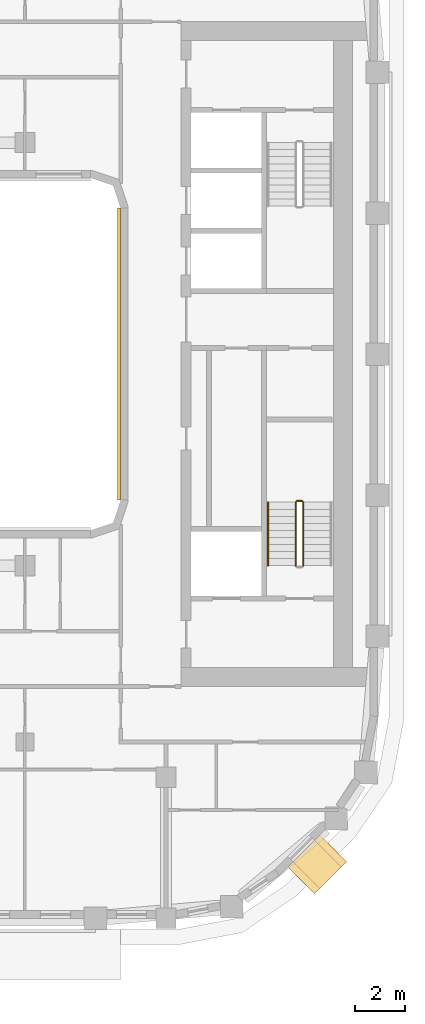
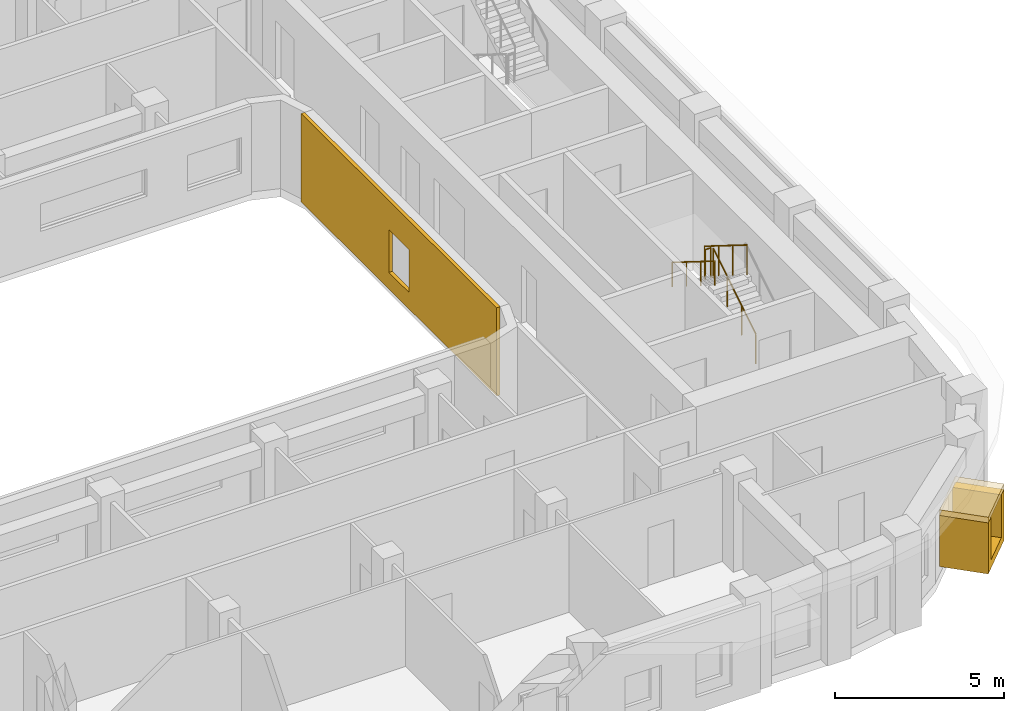
# One storey, part 16 of 21: 4 railings, 3 coverings.
"""IFC4 building model written with IfcOpenShell, lengths in metres."""

from ifc_helpers import new_model, si_unit, direction, frame, origin, origin_2d, place, context, subcontext, project, spatial, polyline, rectangle, circle, outline, extrude, material, layer, layer_set, type_object, element, save


model = new_model("IFC4")

# Units and contexts
model_context = context("Model", 3, precision=1e-05, world=origin(), true_north=direction((0.0, 1.0)))
body_context = subcontext(model_context, "Body", "Model", "MODEL_VIEW")
ifc_project = project(units=[si_unit("LENGTHUNIT", "METRE"), si_unit("AREAUNIT", "SQUARE_METRE"), si_unit("VOLUMEUNIT", "CUBIC_METRE"), si_unit("PLANEANGLEUNIT", "RADIAN"), si_unit("MASSUNIT", "GRAM", prefix="KILO")], contexts=[model_context])

# Site, building, storey
site_placement = place(None, origin())
site = spatial("IfcSite", under=ifc_project, at=site_placement, CompositionType="ELEMENT")
building_placement = place(site_placement, origin())
building = spatial("IfcBuilding", under=site, at=building_placement, Name="Kiln Ring Residences", CompositionType="ELEMENT")
storey_placement = place(building_placement, frame((0.0, 0.0, 202.89990234375)))
storey = spatial("IfcBuildingStorey", under=building, at=storey_placement, Name="L52", CompositionType="ELEMENT", Elevation=202.89990234375)

# Railings
ifc_material_1 = material(Name="Stainless steel", Category="steel")
railing_type_1 = type_object("IfcRailingType", Name="CORE-STAIR-GUARD", PredefinedType="GUARDRAIL", material=ifc_material_1)
railing_1_placement = place(storey_placement, frame((22.25, -8.39990234375, 0.175048828125)))
element("IfcRailing", 1, at=railing_1_placement, inside=storey, type_object=railing_type_1, Name="L52 E-STS stair guard 1", PredefinedType="GUARDRAIL", context=body_context, shape_type="SweptSolid", body=[
    extrude(circle(Radius=0.02392578125, at=origin_2d()), frame((0.0, 0.0, 1.076171875), z_axis=(0.0, 0.848007534815, 0.529984170421), x_axis=(-1.0, 0.0, 0.0)), (0.0, 0.0, 1.0), 2.9716796875),
    extrude(circle(Radius=0.02099609375, at=origin_2d()), origin(), (0.0, 0.0, 1.0), 1.052001953125),
    extrude(circle(Radius=0.02099609375, at=origin_2d()), frame((0.0, 0.840087890625, 0.52490234375)), (0.0, 0.0, 1.0), 1.052001953125),
    extrude(circle(Radius=0.02099609375, at=origin_2d()), frame((0.0, 1.679931640625, 1.050048828125)), (0.0, 0.0, 1.0), 1.052001953125),
    extrude(circle(Radius=0.02099609375, at=origin_2d()), frame((0.0, 2.52001953125, 1.574951171875)), (0.0, 0.0, 1.0), 1.052001953125),
])
railing_2_placement = place(storey_placement, frame((22.199951171875, -5.830078125, 1.75)))
element("IfcRailing", 2, at=railing_2_placement, inside=storey, type_object=railing_type_1, Name="L52 E-STS stair guard 2", PredefinedType="GUARDRAIL", context=body_context, shape_type="SweptSolid", body=[
    extrude(circle(Radius=0.02392578125, at=origin_2d()), frame((0.0, 0.0, 1.076171875), z_axis=(-1.0, 0.0, 0.0), x_axis=(0.0, -1.0, 0.0)), (0.0, 0.0, 1.0), 0.199951171875),
    extrude(circle(Radius=0.02099609375, at=origin_2d()), origin(), (0.0, 0.0, 1.0), 1.052001953125),
    extrude(circle(Radius=0.02099609375, at=origin_2d()), frame((-0.199951171875, 0.0, 0.0)), (0.0, 0.0, 1.0), 1.052001953125),
])
railing_3_placement = place(storey_placement, frame((21.949951171875, -5.8798828125, 1.925048828125)))
element("IfcRailing", 3, at=railing_3_placement, inside=storey, type_object=railing_type_1, Name="L52 E-STS stair guard 3", PredefinedType="GUARDRAIL", context=body_context, shape_type="SweptSolid", body=[
    extrude(circle(Radius=0.02392578125, at=origin_2d()), frame((0.0, 0.0, 1.076171875), z_axis=(0.0, -0.848007534815, 0.529984170421), x_axis=(1.0, 0.0, 0.0)), (0.0, 0.0, 1.0), 2.9716796875),
    extrude(circle(Radius=0.02099609375, at=origin_2d()), origin(), (0.0, 0.0, 1.0), 1.052001953125),
    extrude(circle(Radius=0.02099609375, at=origin_2d()), frame((0.0, -0.840087890625, 0.52490234375)), (0.0, 0.0, 1.0), 1.052001953125),
    extrude(circle(Radius=0.02099609375, at=origin_2d()), frame((0.0, -1.679931640625, 1.050048828125)), (0.0, 0.0, 1.0), 1.052001953125),
    extrude(circle(Radius=0.02099609375, at=origin_2d()), frame((0.0, -2.52001953125, 1.574951171875)), (0.0, 0.0, 1.0), 1.052001953125),
])
ifc_material_2 = material(Name="Stainless steel", Category="steel")
railing_type_2 = type_object("IfcRailingType", Name="CORE-STAIR-HANDRAIL", PredefinedType="HANDRAIL", material=ifc_material_2)
railing_4_placement = place(storey_placement, frame((20.85009765625, -5.8798828125, 1.925048828125)))
element("IfcRailing", 4, at=railing_4_placement, inside=storey, type_object=railing_type_2, Name="L52 E-STS stair handrail 2", PredefinedType="HANDRAIL", context=body_context, shape_type="SweptSolid", body=[
    extrude(circle(Radius=0.02392578125, at=origin_2d()), frame((0.0, 0.0, 0.8759765625), z_axis=(0.0, -0.848007534815, 0.529984170421), x_axis=(1.0, 0.0, 0.0)), (0.0, 0.0, 1.0), 2.9716796875),
    extrude(circle(Radius=0.02099609375, at=origin_2d()), origin(), (0.0, 0.0, 1.0), 0.851806640625),
    extrude(circle(Radius=0.02099609375, at=origin_2d()), frame((0.0, -0.840087890625, 0.52490234375)), (0.0, 0.0, 1.0), 0.851806640625),
    extrude(circle(Radius=0.02099609375, at=origin_2d()), frame((0.0, -1.679931640625, 1.050048828125)), (0.0, 0.0, 1.0), 0.851806640625),
    extrude(circle(Radius=0.02099609375, at=origin_2d()), frame((0.0, -2.52001953125, 1.574951171875)), (0.0, 0.0, 1.0), 0.851806640625),
])

# Coverings
ifc_material_3 = material(Name="Brick masonry, dark clay brick", Category="masonry")
ifc_layer_1 = layer(ifc_material_3, 0.300048828125)
ifc_layer_set_1 = layer_set([ifc_layer_1], Name="FRAME CHEEKS AND SILL 1500")
covering_type_1 = type_object("IfcCoveringType", Name="FRAME CHEEKS AND SILL 1500", PredefinedType="CLADDING", material=ifc_layer_set_1)
covering_1_placement = place(storey_placement, frame((22.163330078125, -20.8974609375, 0.300048828125), z_axis=(0.0, 0.0, 1.0), x_axis=(0.707038962956, 0.707174592913, 0.0)))
element("IfcCovering", 5, at=covering_1_placement, inside=storey, type_object=covering_type_1, Name="FRAME L52", PredefinedType="CLADDING", context=body_context, shape_type="SweptSolid", body=[
    extrude(outline(polyline([(0.0, 0.0), (1.800048828125, 0.0), (1.800048828125, 1.85009765625), (1.5009765625, 1.85009765625), (1.5, 0.300048828125), (0.300048828125, 0.300048828125), (0.299072265625, 1.85009765625), (0.0, 1.85009765625), (0.0, 0.0)])), frame((0.0, 0.75, 0.0), z_axis=(0.0, -1.0, 0.0), x_axis=(1.0, 0.0, 0.0)), (0.0, 0.0, 1.0), 1.5),
])
ifc_material_4 = material(Name="Brick masonry, dark clay brick", Category="masonry")
ifc_layer_2 = layer(ifc_material_4, 0.199951171875)
ifc_layer_set_2 = layer_set([ifc_layer_2], Name="FRAME HEAD 1500")
covering_type_2 = type_object("IfcCoveringType", Name="FRAME HEAD 1500", PredefinedType="CLADDING", material=ifc_layer_set_2)
covering_2_placement = place(storey_placement, frame((22.799560546875, -20.260986328125, 2.14990234375), z_axis=(0.0, 0.0, 1.0), x_axis=(0.707106781187, 0.707106781187, 0.0)))
element("IfcCovering", 6, at=covering_2_placement, inside=storey, type_object=covering_type_2, Name="FRAME HEAD L52", PredefinedType="CLADDING", context=body_context, shape_type="SweptSolid", body=[
    extrude(rectangle(XDim=1.800048828125, YDim=1.5, at=origin_2d()), origin(), (0.0, 0.0, 1.0), 0.199951171875),
])
ifc_material_5 = material(Name="Brick masonry, dark clay brick", Category="masonry")
ifc_layer_3 = layer(ifc_material_5, 0.1201171875)
ifc_layer_set_3 = layer_set([ifc_layer_3], Name="RAINSCREEN PANEL 120")
covering_type_3 = type_object("IfcCoveringType", Name="RAINSCREEN PANEL 120", PredefinedType="CLADDING", material=ifc_layer_set_3)
covering_3_placement = place(storey_placement, frame((14.93994140625, 5.800048828125, 0.0), z_axis=(0.0, 0.0, 1.0), x_axis=(0.0, -1.0, 0.0)))
element("IfcCovering", 7, at=covering_3_placement, inside=storey, type_object=covering_type_3, Name="RAINSCREEN L52", PredefinedType="CLADDING", context=body_context, shape_type="SweptSolid", body=[
    extrude(outline(polyline([(0.0, 0.0), (11.60009765625, 0.0), (11.60009765625, 3.2001953125), (0.0, 3.2001953125), (0.0, 0.0)]), holes=[polyline([(5.199951171875, 2.150146484375), (5.199951171875, 0.60009765625), (6.39990234375, 0.60009765625), (6.39990234375, 2.150146484375), (5.199951171875, 2.150146484375)])]), frame((0.0, 0.06005859375, 0.0), z_axis=(0.0, -1.0, 0.0), x_axis=(1.0, 0.0, 0.0)), (0.0, 0.0, 1.0), 0.1201171875),
])

save(model, "model.ifc")
